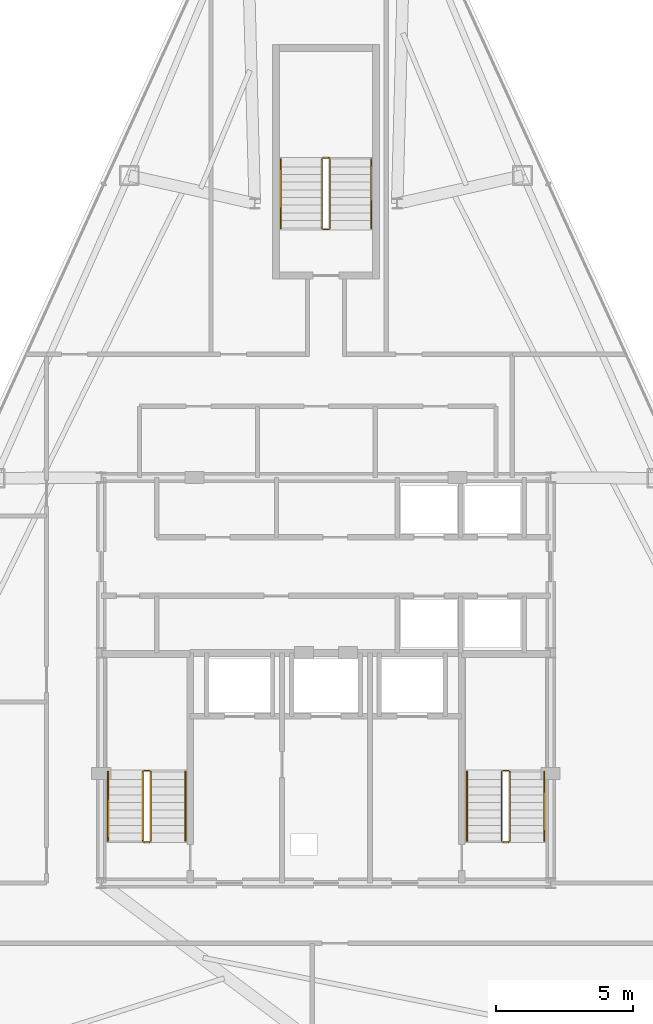
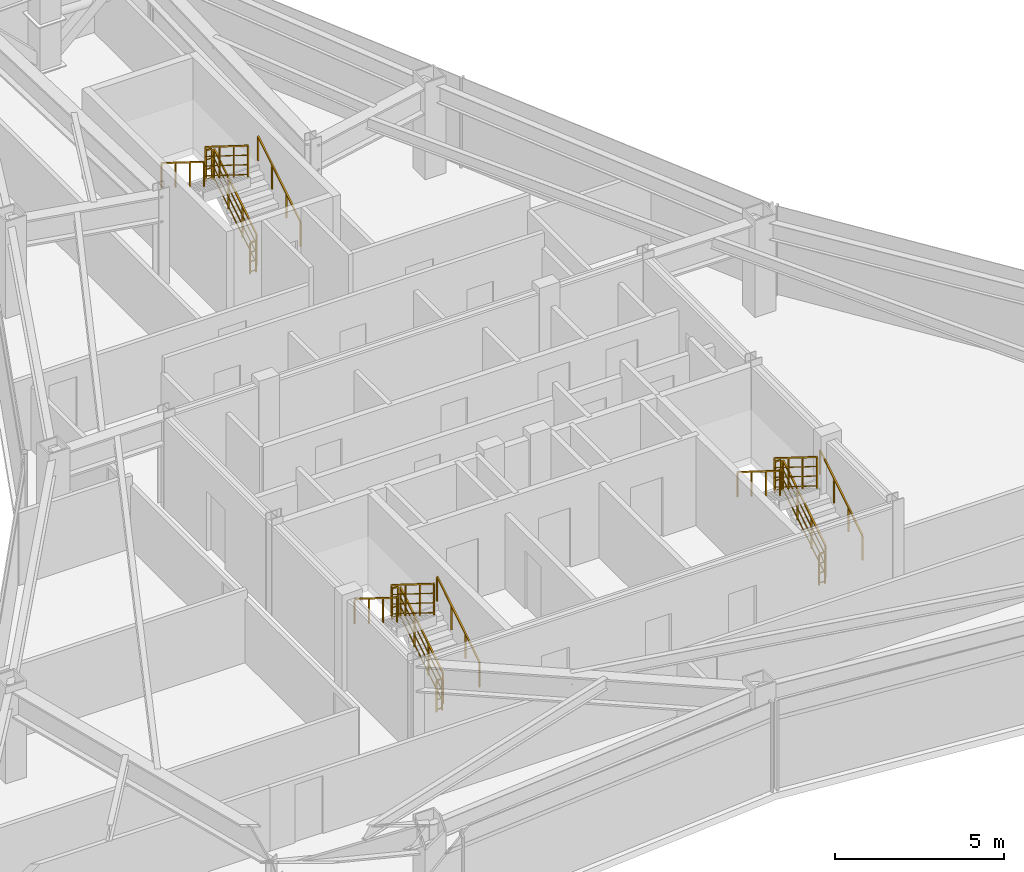
# One storey, part 12 of 12: 18 railings.
"""IFC4 building model written with IfcOpenShell, lengths in metres."""

from ifc_helpers import new_model, si_unit, direction, frame, origin, origin_2d, place, context, subcontext, project, spatial, rectangle, extrude, material, type_object, element, save


model = new_model("IFC4")

# Units and contexts
model_context = context("Model", 3, precision=1e-05, world=origin(), true_north=direction((0.0, 1.0)))
body_context = subcontext(model_context, "Body", "Model", "MODEL_VIEW")
ifc_project = project(units=[si_unit("LENGTHUNIT", "METRE"), si_unit("AREAUNIT", "SQUARE_METRE"), si_unit("VOLUMEUNIT", "CUBIC_METRE"), si_unit("PLANEANGLEUNIT", "RADIAN"), si_unit("MASSUNIT", "GRAM", prefix="KILO")], contexts=[model_context])

# Site, building, storey
site_placement = place(None, origin())
site = spatial("IfcSite", under=ifc_project, at=site_placement, CompositionType="ELEMENT")
building_placement = place(site_placement, origin())
building = spatial("IfcBuilding", under=site, at=building_placement, Name="Varakhsha Concourse Tower", CompositionType="ELEMENT")
storey_placement = place(building_placement, frame((0.0, 0.0, 243.39990234375)))
storey = spatial("IfcBuildingStorey", under=building, at=storey_placement, Name="L69", CompositionType="ELEMENT", Elevation=243.39990234375)

# Railings
ifc_material = material(Name="Brushed Austenitic Stainless Steel AISI 316", Category="steel")
railing_type_1 = type_object("IfcRailingType", Name="RL-STAIR-GUARD-1100", PredefinedType="GUARDRAIL", material=ifc_material)
railing_1_placement = place(storey_placement, frame((33.610107421875, 17.93994140625, 0.175048828125)))
element("IfcRailing", 1, at=railing_1_placement, inside=storey, type_object=railing_type_1, Name="L69 ST1 stair guard 1", PredefinedType="GUARDRAIL", context=body_context, shape_type="SweptSolid", body=[
    extrude(rectangle(XDim=0.048095703125, YDim=0.048095703125, at=origin_2d()), frame((0.0, 0.0, 1.1259765625), z_axis=(0.0, 0.848007534815, 0.529984170421), x_axis=(-1.0, 0.0, 0.0)), (0.0, 0.0, 1.0), 2.9716796875),
    extrude(rectangle(XDim=0.028076171875, YDim=0.028076171875, at=origin_2d()), frame((0.0, 0.0, 0.080078125), z_axis=(0.0, 0.848007534815, 0.529984170421), x_axis=(-1.0, 0.0, 0.0)), (0.0, 0.0, 1.0), 2.9716796875),
    extrude(rectangle(XDim=0.028076171875, YDim=0.028076171875, at=origin_2d()), frame((0.0, 0.0, 0.43701171875), z_axis=(0.0, 0.848007534815, 0.529984170421), x_axis=(-1.0, 0.0, 0.0)), (0.0, 0.0, 1.0), 2.9716796875),
    extrude(rectangle(XDim=0.028076171875, YDim=0.028076171875, at=origin_2d()), frame((0.0, 0.0, 0.781982421875), z_axis=(0.0, 0.848007534815, 0.529984170421), x_axis=(-1.0, 0.0, 0.0)), (0.0, 0.0, 1.0), 2.9716796875),
    extrude(rectangle(XDim=0.0419921875, YDim=0.0419921875, at=origin_2d()), origin(), (0.0, 0.0, 1.0), 1.101806640625),
    extrude(rectangle(XDim=0.0419921875, YDim=0.0419921875, at=origin_2d()), frame((0.0, 0.840087890625, 0.52490234375)), (0.0, 0.0, 1.0), 1.101806640625),
    extrude(rectangle(XDim=0.0419921875, YDim=0.0419921875, at=origin_2d()), frame((0.0, 1.679931640625, 1.050048828125)), (0.0, 0.0, 1.0), 1.101806640625),
    extrude(rectangle(XDim=0.0419921875, YDim=0.0419921875, at=origin_2d()), frame((0.0, 2.52001953125, 1.574951171875)), (0.0, 0.0, 1.0), 1.101806640625),
])
railing_2_placement = place(storey_placement, frame((33.56005859375, 20.510009765625, 1.75)))
element("IfcRailing", 2, at=railing_2_placement, inside=storey, type_object=railing_type_1, Name="L69 ST1 stair guard 2", PredefinedType="GUARDRAIL", context=body_context, shape_type="SweptSolid", body=[
    extrude(rectangle(XDim=0.048095703125, YDim=0.048095703125, at=origin_2d()), frame((0.0, 0.0, 1.1259765625), z_axis=(-1.0, 0.0, 0.0), x_axis=(0.0, -1.0, 0.0)), (0.0, 0.0, 1.0), 0.199951171875),
    extrude(rectangle(XDim=0.028076171875, YDim=0.028076171875, at=origin_2d()), frame((0.0, 0.0, 0.080078125), z_axis=(-1.0, 0.0, 0.0), x_axis=(0.0, -1.0, 0.0)), (0.0, 0.0, 1.0), 0.199951171875),
    extrude(rectangle(XDim=0.028076171875, YDim=0.028076171875, at=origin_2d()), frame((0.0, 0.0, 0.43701171875), z_axis=(-1.0, 0.0, 0.0), x_axis=(0.0, -1.0, 0.0)), (0.0, 0.0, 1.0), 0.199951171875),
    extrude(rectangle(XDim=0.028076171875, YDim=0.028076171875, at=origin_2d()), frame((0.0, 0.0, 0.781982421875), z_axis=(-1.0, 0.0, 0.0), x_axis=(0.0, -1.0, 0.0)), (0.0, 0.0, 1.0), 0.199951171875),
    extrude(rectangle(XDim=0.0419921875, YDim=0.0419921875, at=origin_2d()), origin(), (0.0, 0.0, 1.0), 1.101806640625),
    extrude(rectangle(XDim=0.0419921875, YDim=0.0419921875, at=origin_2d()), frame((-0.199951171875, 0.0, 0.0)), (0.0, 0.0, 1.0), 1.101806640625),
])
railing_3_placement = place(storey_placement, frame((33.31005859375, 20.4599609375, 1.925048828125)))
element("IfcRailing", 3, at=railing_3_placement, inside=storey, type_object=railing_type_1, Name="L69 ST1 stair guard 3", PredefinedType="GUARDRAIL", context=body_context, shape_type="SweptSolid", body=[
    extrude(rectangle(XDim=0.048095703125, YDim=0.048095703125, at=origin_2d()), frame((0.0, 0.0, 1.1259765625), z_axis=(0.0, -0.848007534815, 0.529984170421), x_axis=(1.0, 0.0, 0.0)), (0.0, 0.0, 1.0), 2.9716796875),
    extrude(rectangle(XDim=0.028076171875, YDim=0.028076171875, at=origin_2d()), frame((0.0, 0.0, 0.080078125), z_axis=(0.0, -0.848007534815, 0.529984170421), x_axis=(1.0, 0.0, 0.0)), (0.0, 0.0, 1.0), 2.9716796875),
    extrude(rectangle(XDim=0.028076171875, YDim=0.028076171875, at=origin_2d()), frame((0.0, 0.0, 0.43701171875), z_axis=(0.0, -0.848007534815, 0.529984170421), x_axis=(1.0, 0.0, 0.0)), (0.0, 0.0, 1.0), 2.9716796875),
    extrude(rectangle(XDim=0.028076171875, YDim=0.028076171875, at=origin_2d()), frame((0.0, 0.0, 0.781982421875), z_axis=(0.0, -0.848007534815, 0.529984170421), x_axis=(1.0, 0.0, 0.0)), (0.0, 0.0, 1.0), 2.9716796875),
    extrude(rectangle(XDim=0.0419921875, YDim=0.0419921875, at=origin_2d()), origin(), (0.0, 0.0, 1.0), 1.101806640625),
    extrude(rectangle(XDim=0.0419921875, YDim=0.0419921875, at=origin_2d()), frame((0.0, -0.840087890625, 0.52490234375)), (0.0, 0.0, 1.0), 1.101806640625),
    extrude(rectangle(XDim=0.0419921875, YDim=0.0419921875, at=origin_2d()), frame((0.0, -1.679931640625, 1.050048828125)), (0.0, 0.0, 1.0), 1.101806640625),
    extrude(rectangle(XDim=0.0419921875, YDim=0.0419921875, at=origin_2d()), frame((0.0, -2.52001953125, 1.574951171875)), (0.0, 0.0, 1.0), 1.101806640625),
])
railing_4_placement = place(storey_placement, frame((33.56005859375, 17.889892578125, 0.0)))
element("IfcRailing", 4, at=railing_4_placement, inside=storey, type_object=railing_type_1, Name="L69 ST1 stair guard 4", PredefinedType="GUARDRAIL", context=body_context, shape_type="SweptSolid", body=[
    extrude(rectangle(XDim=0.048095703125, YDim=0.048095703125, at=origin_2d()), frame((0.0, 0.0, 1.1259765625), z_axis=(-1.0, 0.0, 0.0), x_axis=(0.0, -1.0, 0.0)), (0.0, 0.0, 1.0), 0.199951171875),
    extrude(rectangle(XDim=0.028076171875, YDim=0.028076171875, at=origin_2d()), frame((0.0, 0.0, 0.080078125), z_axis=(-1.0, 0.0, 0.0), x_axis=(0.0, -1.0, 0.0)), (0.0, 0.0, 1.0), 0.199951171875),
    extrude(rectangle(XDim=0.028076171875, YDim=0.028076171875, at=origin_2d()), frame((0.0, 0.0, 0.43701171875), z_axis=(-1.0, 0.0, 0.0), x_axis=(0.0, -1.0, 0.0)), (0.0, 0.0, 1.0), 0.199951171875),
    extrude(rectangle(XDim=0.028076171875, YDim=0.028076171875, at=origin_2d()), frame((0.0, 0.0, 0.781982421875), z_axis=(-1.0, 0.0, 0.0), x_axis=(0.0, -1.0, 0.0)), (0.0, 0.0, 1.0), 0.199951171875),
    extrude(rectangle(XDim=0.0419921875, YDim=0.0419921875, at=origin_2d()), origin(), (0.0, 0.0, 1.0), 1.101806640625),
    extrude(rectangle(XDim=0.0419921875, YDim=0.0419921875, at=origin_2d()), frame((-0.199951171875, 0.0, 0.0)), (0.0, 0.0, 1.0), 1.101806640625),
])
railing_5_placement = place(storey_placement, frame((46.7099609375, 17.93994140625, 0.175048828125)))
element("IfcRailing", 5, at=railing_5_placement, inside=storey, type_object=railing_type_1, Name="L69 ST2 stair guard 1", PredefinedType="GUARDRAIL", context=body_context, shape_type="SweptSolid", body=[
    extrude(rectangle(XDim=0.048095703125, YDim=0.048095703125, at=origin_2d()), frame((0.0, 0.0, 1.1259765625), z_axis=(0.0, 0.848007534815, 0.529984170421), x_axis=(-1.0, 0.0, 0.0)), (0.0, 0.0, 1.0), 2.9716796875),
    extrude(rectangle(XDim=0.028076171875, YDim=0.028076171875, at=origin_2d()), frame((0.0, 0.0, 0.080078125), z_axis=(0.0, 0.848007534815, 0.529984170421), x_axis=(-1.0, 0.0, 0.0)), (0.0, 0.0, 1.0), 2.9716796875),
    extrude(rectangle(XDim=0.028076171875, YDim=0.028076171875, at=origin_2d()), frame((0.0, 0.0, 0.43701171875), z_axis=(0.0, 0.848007534815, 0.529984170421), x_axis=(-1.0, 0.0, 0.0)), (0.0, 0.0, 1.0), 2.9716796875),
    extrude(rectangle(XDim=0.028076171875, YDim=0.028076171875, at=origin_2d()), frame((0.0, 0.0, 0.781982421875), z_axis=(0.0, 0.848007534815, 0.529984170421), x_axis=(-1.0, 0.0, 0.0)), (0.0, 0.0, 1.0), 2.9716796875),
    extrude(rectangle(XDim=0.0419921875, YDim=0.0419921875, at=origin_2d()), origin(), (0.0, 0.0, 1.0), 1.101806640625),
    extrude(rectangle(XDim=0.0419921875, YDim=0.0419921875, at=origin_2d()), frame((0.0, 0.840087890625, 0.52490234375)), (0.0, 0.0, 1.0), 1.101806640625),
    extrude(rectangle(XDim=0.0419921875, YDim=0.0419921875, at=origin_2d()), frame((0.0, 1.679931640625, 1.050048828125)), (0.0, 0.0, 1.0), 1.101806640625),
    extrude(rectangle(XDim=0.0419921875, YDim=0.0419921875, at=origin_2d()), frame((0.0, 2.52001953125, 1.574951171875)), (0.0, 0.0, 1.0), 1.101806640625),
])
railing_6_placement = place(storey_placement, frame((46.659912109375, 20.510009765625, 1.75)))
element("IfcRailing", 6, at=railing_6_placement, inside=storey, type_object=railing_type_1, Name="L69 ST2 stair guard 2", PredefinedType="GUARDRAIL", context=body_context, shape_type="SweptSolid", body=[
    extrude(rectangle(XDim=0.048095703125, YDim=0.048095703125, at=origin_2d()), frame((0.0, 0.0, 1.1259765625), z_axis=(-1.0, 0.0, 0.0), x_axis=(0.0, -1.0, 0.0)), (0.0, 0.0, 1.0), 0.199951171875),
    extrude(rectangle(XDim=0.028076171875, YDim=0.028076171875, at=origin_2d()), frame((0.0, 0.0, 0.080078125), z_axis=(-1.0, 0.0, 0.0), x_axis=(0.0, -1.0, 0.0)), (0.0, 0.0, 1.0), 0.199951171875),
    extrude(rectangle(XDim=0.028076171875, YDim=0.028076171875, at=origin_2d()), frame((0.0, 0.0, 0.43701171875), z_axis=(-1.0, 0.0, 0.0), x_axis=(0.0, -1.0, 0.0)), (0.0, 0.0, 1.0), 0.199951171875),
    extrude(rectangle(XDim=0.028076171875, YDim=0.028076171875, at=origin_2d()), frame((0.0, 0.0, 0.781982421875), z_axis=(-1.0, 0.0, 0.0), x_axis=(0.0, -1.0, 0.0)), (0.0, 0.0, 1.0), 0.199951171875),
    extrude(rectangle(XDim=0.0419921875, YDim=0.0419921875, at=origin_2d()), origin(), (0.0, 0.0, 1.0), 1.101806640625),
    extrude(rectangle(XDim=0.0419921875, YDim=0.0419921875, at=origin_2d()), frame((-0.199951171875, 0.0, 0.0)), (0.0, 0.0, 1.0), 1.101806640625),
])
railing_7_placement = place(storey_placement, frame((46.409912109375, 20.4599609375, 1.925048828125)))
element("IfcRailing", 7, at=railing_7_placement, inside=storey, type_object=railing_type_1, Name="L69 ST2 stair guard 3", PredefinedType="GUARDRAIL", context=body_context, shape_type="SweptSolid", body=[
    extrude(rectangle(XDim=0.048095703125, YDim=0.048095703125, at=origin_2d()), frame((0.0, 0.0, 1.1259765625), z_axis=(0.0, -0.848007534815, 0.529984170421), x_axis=(1.0, 0.0, 0.0)), (0.0, 0.0, 1.0), 2.9716796875),
    extrude(rectangle(XDim=0.028076171875, YDim=0.028076171875, at=origin_2d()), frame((0.0, 0.0, 0.080078125), z_axis=(0.0, -0.848007534815, 0.529984170421), x_axis=(1.0, 0.0, 0.0)), (0.0, 0.0, 1.0), 2.9716796875),
    extrude(rectangle(XDim=0.028076171875, YDim=0.028076171875, at=origin_2d()), frame((0.0, 0.0, 0.43701171875), z_axis=(0.0, -0.848007534815, 0.529984170421), x_axis=(1.0, 0.0, 0.0)), (0.0, 0.0, 1.0), 2.9716796875),
    extrude(rectangle(XDim=0.028076171875, YDim=0.028076171875, at=origin_2d()), frame((0.0, 0.0, 0.781982421875), z_axis=(0.0, -0.848007534815, 0.529984170421), x_axis=(1.0, 0.0, 0.0)), (0.0, 0.0, 1.0), 2.9716796875),
    extrude(rectangle(XDim=0.0419921875, YDim=0.0419921875, at=origin_2d()), origin(), (0.0, 0.0, 1.0), 1.101806640625),
    extrude(rectangle(XDim=0.0419921875, YDim=0.0419921875, at=origin_2d()), frame((0.0, -0.840087890625, 0.52490234375)), (0.0, 0.0, 1.0), 1.101806640625),
    extrude(rectangle(XDim=0.0419921875, YDim=0.0419921875, at=origin_2d()), frame((0.0, -1.679931640625, 1.050048828125)), (0.0, 0.0, 1.0), 1.101806640625),
    extrude(rectangle(XDim=0.0419921875, YDim=0.0419921875, at=origin_2d()), frame((0.0, -2.52001953125, 1.574951171875)), (0.0, 0.0, 1.0), 1.101806640625),
])
railing_8_placement = place(storey_placement, frame((46.659912109375, 17.889892578125, 0.0)))
element("IfcRailing", 8, at=railing_8_placement, inside=storey, type_object=railing_type_1, Name="L69 ST2 stair guard 4", PredefinedType="GUARDRAIL", context=body_context, shape_type="SweptSolid", body=[
    extrude(rectangle(XDim=0.048095703125, YDim=0.048095703125, at=origin_2d()), frame((0.0, 0.0, 1.1259765625), z_axis=(-1.0, 0.0, 0.0), x_axis=(0.0, -1.0, 0.0)), (0.0, 0.0, 1.0), 0.199951171875),
    extrude(rectangle(XDim=0.028076171875, YDim=0.028076171875, at=origin_2d()), frame((0.0, 0.0, 0.080078125), z_axis=(-1.0, 0.0, 0.0), x_axis=(0.0, -1.0, 0.0)), (0.0, 0.0, 1.0), 0.199951171875),
    extrude(rectangle(XDim=0.028076171875, YDim=0.028076171875, at=origin_2d()), frame((0.0, 0.0, 0.43701171875), z_axis=(-1.0, 0.0, 0.0), x_axis=(0.0, -1.0, 0.0)), (0.0, 0.0, 1.0), 0.199951171875),
    extrude(rectangle(XDim=0.028076171875, YDim=0.028076171875, at=origin_2d()), frame((0.0, 0.0, 0.781982421875), z_axis=(-1.0, 0.0, 0.0), x_axis=(0.0, -1.0, 0.0)), (0.0, 0.0, 1.0), 0.199951171875),
    extrude(rectangle(XDim=0.0419921875, YDim=0.0419921875, at=origin_2d()), origin(), (0.0, 0.0, 1.0), 1.101806640625),
    extrude(rectangle(XDim=0.0419921875, YDim=0.0419921875, at=origin_2d()), frame((-0.199951171875, 0.0, 0.0)), (0.0, 0.0, 1.0), 1.101806640625),
])
railing_9_placement = place(storey_placement, frame((40.14990234375, 40.300048828125, 0.175048828125)))
element("IfcRailing", 9, at=railing_9_placement, inside=storey, type_object=railing_type_1, Name="L69 ST5 stair guard 1", PredefinedType="GUARDRAIL", context=body_context, shape_type="SweptSolid", body=[
    extrude(rectangle(XDim=0.048095703125, YDim=0.048095703125, at=origin_2d()), frame((0.0, 0.0, 1.1259765625), z_axis=(0.0, 0.848007534815, 0.529984170421), x_axis=(-1.0, 0.0, 0.0)), (0.0, 0.0, 1.0), 2.9716796875),
    extrude(rectangle(XDim=0.028076171875, YDim=0.028076171875, at=origin_2d()), frame((0.0, 0.0, 0.080078125), z_axis=(0.0, 0.848007534815, 0.529984170421), x_axis=(-1.0, 0.0, 0.0)), (0.0, 0.0, 1.0), 2.9716796875),
    extrude(rectangle(XDim=0.028076171875, YDim=0.028076171875, at=origin_2d()), frame((0.0, 0.0, 0.43701171875), z_axis=(0.0, 0.848007534815, 0.529984170421), x_axis=(-1.0, 0.0, 0.0)), (0.0, 0.0, 1.0), 2.9716796875),
    extrude(rectangle(XDim=0.028076171875, YDim=0.028076171875, at=origin_2d()), frame((0.0, 0.0, 0.781982421875), z_axis=(0.0, 0.848007534815, 0.529984170421), x_axis=(-1.0, 0.0, 0.0)), (0.0, 0.0, 1.0), 2.9716796875),
    extrude(rectangle(XDim=0.0419921875, YDim=0.0419921875, at=origin_2d()), origin(), (0.0, 0.0, 1.0), 1.101806640625),
    extrude(rectangle(XDim=0.0419921875, YDim=0.0419921875, at=origin_2d()), frame((0.0, 0.840087890625, 0.52490234375)), (0.0, 0.0, 1.0), 1.101806640625),
    extrude(rectangle(XDim=0.0419921875, YDim=0.0419921875, at=origin_2d()), frame((0.0, 1.679931640625, 1.050048828125)), (0.0, 0.0, 1.0), 1.101806640625),
    extrude(rectangle(XDim=0.0419921875, YDim=0.0419921875, at=origin_2d()), frame((0.0, 2.52001953125, 1.574951171875)), (0.0, 0.0, 1.0), 1.101806640625),
])
railing_10_placement = place(storey_placement, frame((40.10009765625, 42.8701171875, 1.75)))
element("IfcRailing", 10, at=railing_10_placement, inside=storey, type_object=railing_type_1, Name="L69 ST5 stair guard 2", PredefinedType="GUARDRAIL", context=body_context, shape_type="SweptSolid", body=[
    extrude(rectangle(XDim=0.048095703125, YDim=0.048095703125, at=origin_2d()), frame((0.0, 0.0, 1.1259765625), z_axis=(-1.0, 0.0, 0.0), x_axis=(0.0, -1.0, 0.0)), (0.0, 0.0, 1.0), 0.2001953125),
    extrude(rectangle(XDim=0.028076171875, YDim=0.028076171875, at=origin_2d()), frame((0.0, 0.0, 0.080078125), z_axis=(-1.0, 0.0, 0.0), x_axis=(0.0, -1.0, 0.0)), (0.0, 0.0, 1.0), 0.2001953125),
    extrude(rectangle(XDim=0.028076171875, YDim=0.028076171875, at=origin_2d()), frame((0.0, 0.0, 0.43701171875), z_axis=(-1.0, 0.0, 0.0), x_axis=(0.0, -1.0, 0.0)), (0.0, 0.0, 1.0), 0.2001953125),
    extrude(rectangle(XDim=0.028076171875, YDim=0.028076171875, at=origin_2d()), frame((0.0, 0.0, 0.781982421875), z_axis=(-1.0, 0.0, 0.0), x_axis=(0.0, -1.0, 0.0)), (0.0, 0.0, 1.0), 0.2001953125),
    extrude(rectangle(XDim=0.0419921875, YDim=0.0419921875, at=origin_2d()), origin(), (0.0, 0.0, 1.0), 1.101806640625),
    extrude(rectangle(XDim=0.0419921875, YDim=0.0419921875, at=origin_2d()), frame((-0.2001953125, 0.0, 0.0)), (0.0, 0.0, 1.0), 1.101806640625),
])
railing_11_placement = place(storey_placement, frame((39.85009765625, 42.820068359375, 1.925048828125)))
element("IfcRailing", 11, at=railing_11_placement, inside=storey, type_object=railing_type_1, Name="L69 ST5 stair guard 3", PredefinedType="GUARDRAIL", context=body_context, shape_type="SweptSolid", body=[
    extrude(rectangle(XDim=0.048095703125, YDim=0.048095703125, at=origin_2d()), frame((0.0, 0.0, 1.1259765625), z_axis=(0.0, -0.848007534815, 0.529984170421), x_axis=(1.0, 0.0, 0.0)), (0.0, 0.0, 1.0), 2.9716796875),
    extrude(rectangle(XDim=0.028076171875, YDim=0.028076171875, at=origin_2d()), frame((0.0, 0.0, 0.080078125), z_axis=(0.0, -0.848007534815, 0.529984170421), x_axis=(1.0, 0.0, 0.0)), (0.0, 0.0, 1.0), 2.9716796875),
    extrude(rectangle(XDim=0.028076171875, YDim=0.028076171875, at=origin_2d()), frame((0.0, 0.0, 0.43701171875), z_axis=(0.0, -0.848007534815, 0.529984170421), x_axis=(1.0, 0.0, 0.0)), (0.0, 0.0, 1.0), 2.9716796875),
    extrude(rectangle(XDim=0.028076171875, YDim=0.028076171875, at=origin_2d()), frame((0.0, 0.0, 0.781982421875), z_axis=(0.0, -0.848007534815, 0.529984170421), x_axis=(1.0, 0.0, 0.0)), (0.0, 0.0, 1.0), 2.9716796875),
    extrude(rectangle(XDim=0.0419921875, YDim=0.0419921875, at=origin_2d()), origin(), (0.0, 0.0, 1.0), 1.101806640625),
    extrude(rectangle(XDim=0.0419921875, YDim=0.0419921875, at=origin_2d()), frame((0.0, -0.840087890625, 0.52490234375)), (0.0, 0.0, 1.0), 1.101806640625),
    extrude(rectangle(XDim=0.0419921875, YDim=0.0419921875, at=origin_2d()), frame((0.0, -1.679931640625, 1.050048828125)), (0.0, 0.0, 1.0), 1.101806640625),
    extrude(rectangle(XDim=0.0419921875, YDim=0.0419921875, at=origin_2d()), frame((0.0, -2.52001953125, 1.574951171875)), (0.0, 0.0, 1.0), 1.101806640625),
])
railing_12_placement = place(storey_placement, frame((40.10009765625, 40.25, 0.0)))
element("IfcRailing", 12, at=railing_12_placement, inside=storey, type_object=railing_type_1, Name="L69 ST5 stair guard 4", PredefinedType="GUARDRAIL", context=body_context, shape_type="SweptSolid", body=[
    extrude(rectangle(XDim=0.048095703125, YDim=0.048095703125, at=origin_2d()), frame((0.0, 0.0, 1.1259765625), z_axis=(-1.0, 0.0, 0.0), x_axis=(0.0, -1.0, 0.0)), (0.0, 0.0, 1.0), 0.2001953125),
    extrude(rectangle(XDim=0.028076171875, YDim=0.028076171875, at=origin_2d()), frame((0.0, 0.0, 0.080078125), z_axis=(-1.0, 0.0, 0.0), x_axis=(0.0, -1.0, 0.0)), (0.0, 0.0, 1.0), 0.2001953125),
    extrude(rectangle(XDim=0.028076171875, YDim=0.028076171875, at=origin_2d()), frame((0.0, 0.0, 0.43701171875), z_axis=(-1.0, 0.0, 0.0), x_axis=(0.0, -1.0, 0.0)), (0.0, 0.0, 1.0), 0.2001953125),
    extrude(rectangle(XDim=0.028076171875, YDim=0.028076171875, at=origin_2d()), frame((0.0, 0.0, 0.781982421875), z_axis=(-1.0, 0.0, 0.0), x_axis=(0.0, -1.0, 0.0)), (0.0, 0.0, 1.0), 0.2001953125),
    extrude(rectangle(XDim=0.0419921875, YDim=0.0419921875, at=origin_2d()), origin(), (0.0, 0.0, 1.0), 1.101806640625),
    extrude(rectangle(XDim=0.0419921875, YDim=0.0419921875, at=origin_2d()), frame((-0.2001953125, 0.0, 0.0)), (0.0, 0.0, 1.0), 1.101806640625),
])
railing_type_2 = type_object("IfcRailingType", Name="RL-STAIR-RAIL-915", PredefinedType="HANDRAIL", material=ifc_material)
railing_13_placement = place(storey_placement, frame((34.8701171875, 17.93994140625, 0.35009765625)))
element("IfcRailing", 13, at=railing_13_placement, inside=storey, type_object=railing_type_2, Name="L69 ST1 stair handrail 1", PredefinedType="HANDRAIL", context=body_context, shape_type="SweptSolid", body=[
    extrude(rectangle(XDim=0.048095703125, YDim=0.048095703125, at=origin_2d()), frame((0.0, 0.0, 0.89111328125), z_axis=(0.0, 0.848007534815, 0.529984170421), x_axis=(-1.0, 0.0, 0.0)), (0.0, 0.0, 1.0), 2.9716796875),
    extrude(rectangle(XDim=0.0419921875, YDim=0.0419921875, at=origin_2d()), origin(), (0.0, 0.0, 1.0), 0.866943359375),
    extrude(rectangle(XDim=0.0419921875, YDim=0.0419921875, at=origin_2d()), frame((0.0, 0.840087890625, 0.52490234375)), (0.0, 0.0, 1.0), 0.866943359375),
    extrude(rectangle(XDim=0.0419921875, YDim=0.0419921875, at=origin_2d()), frame((0.0, 1.679931640625, 1.050048828125)), (0.0, 0.0, 1.0), 0.866943359375),
    extrude(rectangle(XDim=0.0419921875, YDim=0.0419921875, at=origin_2d()), frame((0.0, 2.52001953125, 1.574951171875)), (0.0, 0.0, 1.0), 0.866943359375),
])
railing_14_placement = place(storey_placement, frame((32.050048828125, 20.4599609375, 2.10009765625)))
element("IfcRailing", 14, at=railing_14_placement, inside=storey, type_object=railing_type_2, Name="L69 ST1 stair handrail 2", PredefinedType="HANDRAIL", context=body_context, shape_type="SweptSolid", body=[
    extrude(rectangle(XDim=0.048095703125, YDim=0.048095703125, at=origin_2d()), frame((0.0, 0.0, 0.89111328125), z_axis=(0.0, -0.848007534815, 0.529984170421), x_axis=(1.0, 0.0, 0.0)), (0.0, 0.0, 1.0), 2.9716796875),
    extrude(rectangle(XDim=0.0419921875, YDim=0.0419921875, at=origin_2d()), origin(), (0.0, 0.0, 1.0), 0.866943359375),
    extrude(rectangle(XDim=0.0419921875, YDim=0.0419921875, at=origin_2d()), frame((0.0, -0.840087890625, 0.52490234375)), (0.0, 0.0, 1.0), 0.866943359375),
    extrude(rectangle(XDim=0.0419921875, YDim=0.0419921875, at=origin_2d()), frame((0.0, -1.679931640625, 1.050048828125)), (0.0, 0.0, 1.0), 0.866943359375),
    extrude(rectangle(XDim=0.0419921875, YDim=0.0419921875, at=origin_2d()), frame((0.0, -2.52001953125, 1.574951171875)), (0.0, 0.0, 1.0), 0.866943359375),
])
railing_15_placement = place(storey_placement, frame((47.969970703125, 17.93994140625, 0.35009765625)))
element("IfcRailing", 15, at=railing_15_placement, inside=storey, type_object=railing_type_2, Name="L69 ST2 stair handrail 1", PredefinedType="HANDRAIL", context=body_context, shape_type="SweptSolid", body=[
    extrude(rectangle(XDim=0.048095703125, YDim=0.048095703125, at=origin_2d()), frame((0.0, 0.0, 0.89111328125), z_axis=(0.0, 0.848007534815, 0.529984170421), x_axis=(-1.0, 0.0, 0.0)), (0.0, 0.0, 1.0), 2.9716796875),
    extrude(rectangle(XDim=0.0419921875, YDim=0.0419921875, at=origin_2d()), origin(), (0.0, 0.0, 1.0), 0.866943359375),
    extrude(rectangle(XDim=0.0419921875, YDim=0.0419921875, at=origin_2d()), frame((0.0, 0.840087890625, 0.52490234375)), (0.0, 0.0, 1.0), 0.866943359375),
    extrude(rectangle(XDim=0.0419921875, YDim=0.0419921875, at=origin_2d()), frame((0.0, 1.679931640625, 1.050048828125)), (0.0, 0.0, 1.0), 0.866943359375),
    extrude(rectangle(XDim=0.0419921875, YDim=0.0419921875, at=origin_2d()), frame((0.0, 2.52001953125, 1.574951171875)), (0.0, 0.0, 1.0), 0.866943359375),
])
railing_16_placement = place(storey_placement, frame((45.14990234375, 20.4599609375, 2.10009765625)))
element("IfcRailing", 16, at=railing_16_placement, inside=storey, type_object=railing_type_2, Name="L69 ST2 stair handrail 2", PredefinedType="HANDRAIL", context=body_context, shape_type="SweptSolid", body=[
    extrude(rectangle(XDim=0.048095703125, YDim=0.048095703125, at=origin_2d()), frame((0.0, 0.0, 0.89111328125), z_axis=(0.0, -0.848007534815, 0.529984170421), x_axis=(1.0, 0.0, 0.0)), (0.0, 0.0, 1.0), 2.9716796875),
    extrude(rectangle(XDim=0.0419921875, YDim=0.0419921875, at=origin_2d()), origin(), (0.0, 0.0, 1.0), 0.866943359375),
    extrude(rectangle(XDim=0.0419921875, YDim=0.0419921875, at=origin_2d()), frame((0.0, -0.840087890625, 0.52490234375)), (0.0, 0.0, 1.0), 0.866943359375),
    extrude(rectangle(XDim=0.0419921875, YDim=0.0419921875, at=origin_2d()), frame((0.0, -1.679931640625, 1.050048828125)), (0.0, 0.0, 1.0), 0.866943359375),
    extrude(rectangle(XDim=0.0419921875, YDim=0.0419921875, at=origin_2d()), frame((0.0, -2.52001953125, 1.574951171875)), (0.0, 0.0, 1.0), 0.866943359375),
])
railing_17_placement = place(storey_placement, frame((41.64990234375, 40.300048828125, 0.35009765625)))
element("IfcRailing", 17, at=railing_17_placement, inside=storey, type_object=railing_type_2, Name="L69 ST5 stair handrail 1", PredefinedType="HANDRAIL", context=body_context, shape_type="SweptSolid", body=[
    extrude(rectangle(XDim=0.048095703125, YDim=0.048095703125, at=origin_2d()), frame((0.0, 0.0, 0.89111328125), z_axis=(0.0, 0.848007534815, 0.529984170421), x_axis=(-1.0, 0.0, 0.0)), (0.0, 0.0, 1.0), 2.9716796875),
    extrude(rectangle(XDim=0.0419921875, YDim=0.0419921875, at=origin_2d()), origin(), (0.0, 0.0, 1.0), 0.866943359375),
    extrude(rectangle(XDim=0.0419921875, YDim=0.0419921875, at=origin_2d()), frame((0.0, 0.840087890625, 0.52490234375)), (0.0, 0.0, 1.0), 0.866943359375),
    extrude(rectangle(XDim=0.0419921875, YDim=0.0419921875, at=origin_2d()), frame((0.0, 1.679931640625, 1.050048828125)), (0.0, 0.0, 1.0), 0.866943359375),
    extrude(rectangle(XDim=0.0419921875, YDim=0.0419921875, at=origin_2d()), frame((0.0, 2.52001953125, 1.574951171875)), (0.0, 0.0, 1.0), 0.866943359375),
])
railing_18_placement = place(storey_placement, frame((38.35009765625, 42.820068359375, 2.10009765625)))
element("IfcRailing", 18, at=railing_18_placement, inside=storey, type_object=railing_type_2, Name="L69 ST5 stair handrail 2", PredefinedType="HANDRAIL", context=body_context, shape_type="SweptSolid", body=[
    extrude(rectangle(XDim=0.048095703125, YDim=0.048095703125, at=origin_2d()), frame((0.0, 0.0, 0.89111328125), z_axis=(0.0, -0.848007534815, 0.529984170421), x_axis=(1.0, 0.0, 0.0)), (0.0, 0.0, 1.0), 2.9716796875),
    extrude(rectangle(XDim=0.0419921875, YDim=0.0419921875, at=origin_2d()), origin(), (0.0, 0.0, 1.0), 0.866943359375),
    extrude(rectangle(XDim=0.0419921875, YDim=0.0419921875, at=origin_2d()), frame((0.0, -0.840087890625, 0.52490234375)), (0.0, 0.0, 1.0), 0.866943359375),
    extrude(rectangle(XDim=0.0419921875, YDim=0.0419921875, at=origin_2d()), frame((0.0, -1.679931640625, 1.050048828125)), (0.0, 0.0, 1.0), 0.866943359375),
    extrude(rectangle(XDim=0.0419921875, YDim=0.0419921875, at=origin_2d()), frame((0.0, -2.52001953125, 1.574951171875)), (0.0, 0.0, 1.0), 0.866943359375),
])

save(model, "model.ifc")
